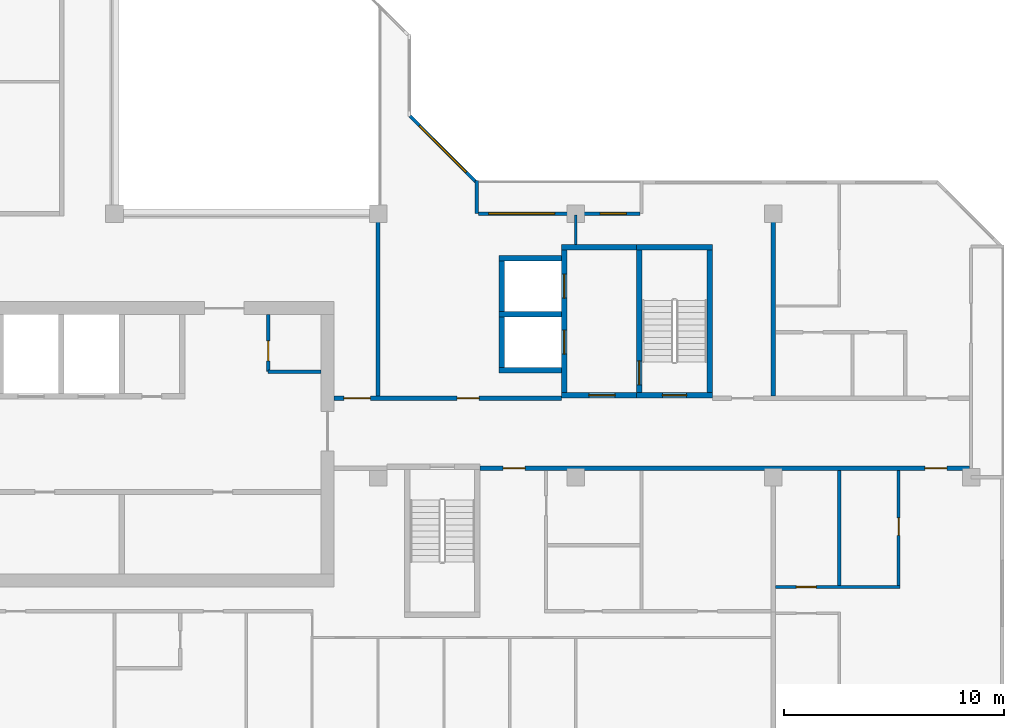
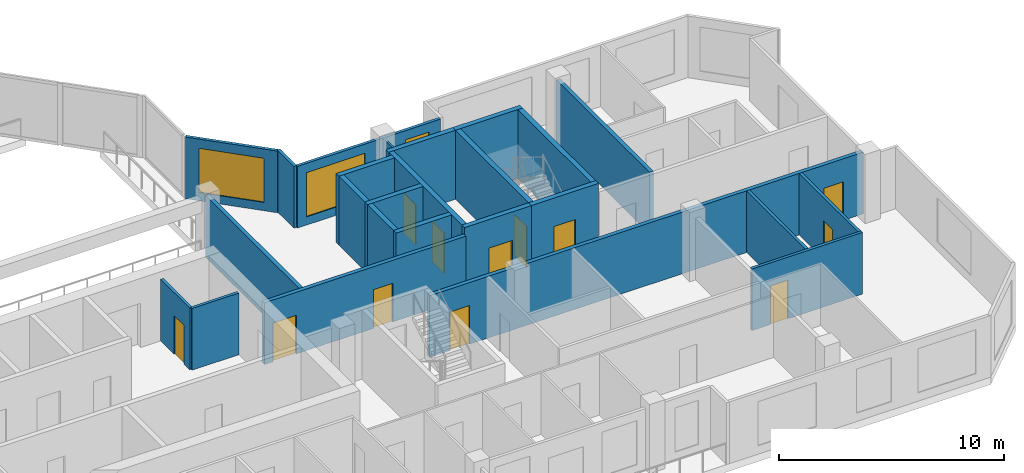
# One storey, part 7 of 13: 25 walls, 12 doors, 3 windows, 15 openings.
"""IFC4 building model written with IfcOpenShell, lengths in metres."""

from ifc_helpers import new_model, si_unit, direction, frame, frame_2d, origin, place, context, subcontext, project, spatial, rectangle, extrude, material, layer, layer_set, type_object, element, fill, save


model = new_model("IFC4")

# Units and contexts
model_context = context("Model", 3, precision=1e-05, world=origin(), true_north=direction((0.0, 1.0)))
body_context = subcontext(model_context, "Body", "Model", "MODEL_VIEW")
ifc_project = project(units=[si_unit("LENGTHUNIT", "METRE"), si_unit("AREAUNIT", "SQUARE_METRE"), si_unit("VOLUMEUNIT", "CUBIC_METRE"), si_unit("PLANEANGLEUNIT", "RADIAN"), si_unit("MASSUNIT", "GRAM", prefix="KILO")], contexts=[model_context])

# Site, building, storey
site_placement = place(None, origin())
site = spatial("IfcSite", under=ifc_project, at=site_placement, CompositionType="ELEMENT")
building_placement = place(site_placement, origin())
building = spatial("IfcBuilding", under=site, at=building_placement, Name="Chenar Terraces", CompositionType="ELEMENT")
storey_placement = place(building_placement, frame((0.0, 0.0, 299.64990234375)))
storey = spatial("IfcBuildingStorey", under=building, at=storey_placement, Name="L70", CompositionType="ELEMENT", Elevation=299.64990234375)

# Wall, opening, door
ifc_material_1 = material(Name="Gypsum board on steel studs", Category="steel")
ifc_layer_1 = layer(ifc_material_1, 0.14990234375)
ifc_layer_set_1 = layer_set([ifc_layer_1], Name="Gypsum board on steel studs")
wall_type_1 = type_object("IfcWallType", Name="Core partition 150 gypsum board", PredefinedType="PARTITIONING", material=ifc_layer_set_1)
wall_1_placement = place(storey_placement, frame((31.0, 16.800048828125, 0.0), z_axis=(0.0, 0.0, 1.0), x_axis=(0.0, 1.0, 0.0)))
wall_1 = element("IfcWall", 1, at=wall_1_placement, inside=storey, type_object=wall_type_1, Name="Core partition CP1 vestibule room west wall", PredefinedType="PARTITIONING", context=body_context, shape_type="SweptSolid", body=[
    extrude(rectangle(XDim=2.599853515625, YDim=0.14990234375, at=frame_2d((1.2998046875, 0.0))), origin(), (0.0, 0.0, 1.0), 3.35009765625),
])
opening_1_placement = place(wall_1_placement, frame((0.5, 0.0, 0.0)))
opening_1 = element("IfcOpeningElement", 2, at=opening_1_placement, cuts=wall_1, Name="Opening DL70-C16", PredefinedType="OPENING", context=body_context, shape_type="SweptSolid", body=[
    extrude(rectangle(XDim=0.89990234375, YDim=2.10009765625, at=frame_2d((0.449951171875, 1.050048828125))), frame((0.0, 0.0849609375, 0.0), z_axis=(0.0, -1.0, 0.0), x_axis=(1.0, 0.0, 0.0)), (0.0, 0.0, 1.0), 0.169921875),
])
ifc_material_2 = material(Name="Steel-framed fire-resisting door leaf", Category="steel")
door_type_1 = type_object("IfcDoorType", Name="Riser fire door FD60 900 x 2100", OperationType="SINGLE_SWING_LEFT", PredefinedType="DOOR", material=ifc_material_2)
door_1_placement = place(opening_1_placement, frame((0.89990234375, 0.0, 0.0), z_axis=(0.0, 0.0, 1.0), x_axis=(-1.0, 0.0, 0.0)))
door_1 = element("IfcDoor", 3, at=door_1_placement, inside=storey, type_object=door_type_1, Name="Core room door DL70-C16", OperationType="SINGLE_SWING_RIGHT", OverallHeight=2.10009765625, OverallWidth=0.89990234375, PredefinedType="DOOR", context=body_context, shape_type="SweptSolid", body=[
    extrude(rectangle(XDim=0.89990234375, YDim=2.10009765625, at=frame_2d((0.449951171875, 1.050048828125))), frame((0.0, 0.02490234375, 0.0), z_axis=(0.0, -1.0, 0.0), x_axis=(1.0, 0.0, 0.0)), (0.0, 0.0, 1.0), 0.050048828125),
])
fill(opening_1, door_1)

# Wall
wall_2_placement = place(storey_placement, frame((31.0, 16.800048828125, 0.0), z_axis=(0.0, 0.0, 1.0), x_axis=(1.0, 0.0, 0.0)))
element("IfcWall", 4, at=wall_2_placement, inside=storey, type_object=wall_type_1, Name="Core partition CP1 vestibule room south wall", PredefinedType="PARTITIONING", context=body_context, shape_type="SweptSolid", body=[
    extrude(rectangle(XDim=2.39990234375, YDim=0.14990234375, at=frame_2d((1.199951171875, 0.0))), origin(), (0.0, 0.0, 1.0), 3.35009765625),
])

# Wall, opening, door
ifc_material_3 = material(Name="Concrete C50/60", Category="concrete")
ifc_layer_2 = layer(ifc_material_3, 0.25)
ifc_layer_set_2 = layer_set([ifc_layer_2], Name="Concrete C50/60")
wall_type_2 = type_object("IfcWallType", Name="Core wall 250 Concrete C50/60", PredefinedType="SHEAR", material=ifc_layer_set_2)
wall_3_placement = place(storey_placement, frame((47.77490234375, 15.72509765625, 0.0), z_axis=(0.0, 0.0, 1.0), x_axis=(1.0, 0.0, 0.0)))
wall_3 = element("IfcWall", 5, at=wall_3_placement, inside=storey, type_object=wall_type_2, Name="Core wall ST3_S L70", PredefinedType="SHEAR", context=body_context, shape_type="SweptSolid", body=[
    extrude(rectangle(XDim=3.4501953125, YDim=0.25, at=frame_2d((1.72509765625, 0.0))), origin(), (0.0, 0.0, 1.0), 3.75),
])
opening_2_placement = place(wall_3_placement, frame((1.175048828125, 0.0, 0.0)))
opening_2 = element("IfcOpeningElement", 6, at=opening_2_placement, cuts=wall_3, Name="Opening DL70-C8", PredefinedType="OPENING", context=body_context, shape_type="SweptSolid", body=[
    extrude(rectangle(XDim=1.10009765625, YDim=2.199951171875, at=frame_2d((0.550048828125, 1.10009765625))), frame((0.0, 0.135009765625, 0.0), z_axis=(0.0, -1.0, 0.0), x_axis=(1.0, 0.0, 0.0)), (0.0, 0.0, 1.0), 0.27001953125),
])
ifc_material_4 = material(Name="Steel-framed fire-resisting door leaf", Category="steel")
door_type_2 = type_object("IfcDoorType", Name="Stair fire door FD60 1100 x 2200", OperationType="SINGLE_SWING_LEFT", PredefinedType="DOOR", material=ifc_material_4)
door_2_placement = place(opening_2_placement, frame((1.10009765625, 0.0, 0.0), z_axis=(0.0, 0.0, 1.0), x_axis=(-1.0, 0.0, 0.0)))
door_2 = element("IfcDoor", 7, at=door_2_placement, inside=storey, type_object=door_type_2, Name="Stair door DL70-C8", OperationType="SINGLE_SWING_LEFT", OverallHeight=2.199951171875, OverallWidth=1.10009765625, PredefinedType="DOOR", context=body_context, shape_type="SweptSolid", body=[
    extrude(rectangle(XDim=1.10009765625, YDim=2.199951171875, at=frame_2d((0.550048828125, 1.10009765625))), frame((0.0, 0.02490234375, 0.0), z_axis=(0.0, -1.0, 0.0), x_axis=(1.0, 0.0, 0.0)), (0.0, 0.0, 1.0), 0.050048828125),
])
fill(opening_2, door_2)

# Wall
wall_4_placement = place(storey_placement, frame((47.77490234375, 22.47509765625, 0.0), z_axis=(0.0, 0.0, 1.0), x_axis=(1.0, 0.0, 0.0)))
element("IfcWall", 8, at=wall_4_placement, inside=storey, type_object=wall_type_2, Name="Core wall ST3_N L70", PredefinedType="SHEAR", context=body_context, shape_type="SweptSolid", body=[
    extrude(rectangle(XDim=3.4501953125, YDim=0.25, at=frame_2d((1.72509765625, 0.0))), origin(), (0.0, 0.0, 1.0), 3.75),
])

# Wall, opening, door
wall_5_placement = place(storey_placement, frame((47.89990234375, 15.85009765625, 0.0), z_axis=(0.0, 0.0, 1.0), x_axis=(0.0, 1.0, 0.0)))
wall_5 = element("IfcWall", 9, at=wall_5_placement, inside=storey, type_object=wall_type_2, Name="Core wall ST3_W L70", PredefinedType="SHEAR", context=body_context, shape_type="SweptSolid", body=[
    extrude(rectangle(XDim=6.5, YDim=0.25, at=frame_2d((3.25, 0.0))), origin(), (0.0, 0.0, 1.0), 3.75),
])
opening_3_placement = place(wall_5_placement, frame((0.35009765625, 0.0, 0.0)))
opening_3 = element("IfcOpeningElement", 10, at=opening_3_placement, cuts=wall_5, Name="Opening DL70-C11", PredefinedType="OPENING", context=body_context, shape_type="SweptSolid", body=[
    extrude(rectangle(XDim=1.10009765625, YDim=2.199951171875, at=frame_2d((0.550048828125, 1.10009765625))), frame((0.0, 0.135009765625, 0.0), z_axis=(0.0, -1.0, 0.0), x_axis=(1.0, 0.0, 0.0)), (0.0, 0.0, 1.0), 0.27001953125),
])
door_3_placement = place(opening_3_placement, frame((1.10009765625, 0.0, 0.0), z_axis=(0.0, 0.0, 1.0), x_axis=(-1.0, 0.0, 0.0)))
door_3 = element("IfcDoor", 11, at=door_3_placement, inside=storey, type_object=door_type_2, Name="Stair door DL70-C11", OperationType="SINGLE_SWING_RIGHT", OverallHeight=2.199951171875, OverallWidth=1.10009765625, PredefinedType="DOOR", context=body_context, shape_type="SweptSolid", body=[
    extrude(rectangle(XDim=1.10009765625, YDim=2.199951171875, at=frame_2d((0.550048828125, 1.10009765625))), frame((0.0, 0.02490234375, 0.0), z_axis=(0.0, -1.0, 0.0), x_axis=(1.0, 0.0, 0.0)), (0.0, 0.0, 1.0), 0.050048828125),
])
fill(opening_3, door_3)

# Wall
wall_6_placement = place(storey_placement, frame((51.10009765625, 15.85009765625, 0.0), z_axis=(0.0, 0.0, 1.0), x_axis=(0.0, 1.0, 0.0)))
element("IfcWall", 12, at=wall_6_placement, inside=storey, type_object=wall_type_2, Name="Core wall ST3_E L70", PredefinedType="SHEAR", context=body_context, shape_type="SweptSolid", body=[
    extrude(rectangle(XDim=6.5, YDim=0.25, at=frame_2d((3.25, 0.0))), origin(), (0.0, 0.0, 1.0), 3.75),
])

# Wall, opening, door
wall_7_placement = place(storey_placement, frame((44.35009765625, 15.72509765625, 0.0), z_axis=(0.0, 0.0, 1.0), x_axis=(1.0, 0.0, 0.0)))
wall_7 = element("IfcWall", 13, at=wall_7_placement, inside=storey, type_object=wall_type_2, Name="Core wall F3_LS L70", PredefinedType="SHEAR", context=body_context, shape_type="SweptSolid", body=[
    extrude(rectangle(XDim=3.4248046875, YDim=0.25, at=frame_2d((1.71240234375, 0.0))), origin(), (0.0, 0.0, 1.0), 3.75),
])
opening_4_placement = place(wall_7_placement, frame((1.25, 0.0, 0.0)))
opening_4 = element("IfcOpeningElement", 14, at=opening_4_placement, cuts=wall_7, Name="Opening DL70-C10", PredefinedType="OPENING", context=body_context, shape_type="SweptSolid", body=[
    extrude(rectangle(XDim=1.199951171875, YDim=2.199951171875, at=frame_2d((0.60009765625, 1.10009765625))), frame((0.0, 0.135009765625, 0.0), z_axis=(0.0, -1.0, 0.0), x_axis=(1.0, 0.0, 0.0)), (0.0, 0.0, 1.0), 0.27001953125),
])
ifc_material_5 = material(Name="Steel-framed fire-resisting door leaf", Category="steel")
door_type_3 = type_object("IfcDoorType", Name="Lobby fire door FD60 1200 x 2200", OperationType="SINGLE_SWING_LEFT", PredefinedType="DOOR", material=ifc_material_5)
door_4_placement = place(opening_4_placement, origin())
door_4 = element("IfcDoor", 15, at=door_4_placement, inside=storey, type_object=door_type_3, Name="Core door DL70-C10", OperationType="SINGLE_SWING_RIGHT", OverallHeight=2.199951171875, OverallWidth=1.199951171875, PredefinedType="DOOR", context=body_context, shape_type="SweptSolid", body=[
    extrude(rectangle(XDim=1.199951171875, YDim=2.199951171875, at=frame_2d((0.60009765625, 1.10009765625))), frame((0.0, 0.02490234375, 0.0), z_axis=(0.0, -1.0, 0.0), x_axis=(1.0, 0.0, 0.0)), (0.0, 0.0, 1.0), 0.050048828125),
])
fill(opening_4, door_4)

# Wall
wall_8_placement = place(storey_placement, frame((44.35009765625, 22.47509765625, 0.0), z_axis=(0.0, 0.0, 1.0), x_axis=(1.0, 0.0, 0.0)))
element("IfcWall", 16, at=wall_8_placement, inside=storey, type_object=wall_type_2, Name="Core wall F3_LN L70", PredefinedType="SHEAR", context=body_context, shape_type="SweptSolid", body=[
    extrude(rectangle(XDim=3.4248046875, YDim=0.25, at=frame_2d((1.71240234375, 0.0))), origin(), (0.0, 0.0, 1.0), 3.75),
])

# Wall, openings, doors
wall_9_placement = place(storey_placement, frame((44.47509765625, 15.85009765625, 0.0), z_axis=(0.0, 0.0, 1.0), x_axis=(0.0, 1.0, 0.0)))
wall_9 = element("IfcWall", 17, at=wall_9_placement, inside=storey, type_object=wall_type_2, Name="Core wall F3_LW L70", PredefinedType="SHEAR", context=body_context, shape_type="SweptSolid", body=[
    extrude(rectangle(XDim=6.5, YDim=0.25, at=frame_2d((3.25, 0.0))), origin(), (0.0, 0.0, 1.0), 3.75),
])
opening_5_placement = place(wall_9_placement, frame((1.75, 0.0, 0.0)))
opening_5 = element("IfcOpeningElement", 18, at=opening_5_placement, cuts=wall_9, Name="Opening DL70-LD8", PredefinedType="OPENING", context=body_context, shape_type="SweptSolid", body=[
    extrude(rectangle(XDim=1.10009765625, YDim=2.199951171875, at=frame_2d((0.550048828125, 1.10009765625))), frame((0.0, 0.135009765625, 0.0), z_axis=(0.0, -1.0, 0.0), x_axis=(1.0, 0.0, 0.0)), (0.0, 0.0, 1.0), 0.27001953125),
])
opening_6_placement = place(wall_9_placement, frame((4.300048828125, 0.0, 0.0)))
opening_6 = element("IfcOpeningElement", 19, at=opening_6_placement, cuts=wall_9, Name="Opening DL70-LD9", PredefinedType="OPENING", context=body_context, shape_type="SweptSolid", body=[
    extrude(rectangle(XDim=1.10009765625, YDim=2.199951171875, at=frame_2d((0.550048828125, 1.10009765625))), frame((0.0, 0.135009765625, 0.0), z_axis=(0.0, -1.0, 0.0), x_axis=(1.0, 0.0, 0.0)), (0.0, 0.0, 1.0), 0.27001953125),
])
ifc_material_6 = material(Name="Stainless steel", Category="steel")
door_type_4 = type_object("IfcDoorType", Name="Lift landing door 1100 x 2200 sliding", OperationType="DOUBLE_DOOR_SLIDING", PredefinedType="DOOR", material=ifc_material_6)
door_5_placement = place(opening_5_placement, origin())
door_5 = element("IfcDoor", 20, at=door_5_placement, inside=storey, type_object=door_type_4, Name="Landing door F3", OperationType="DOUBLE_DOOR_SLIDING", OverallHeight=2.199951171875, OverallWidth=1.10009765625, PredefinedType="DOOR", context=body_context, shape_type="SweptSolid", body=[
    extrude(rectangle(XDim=1.10009765625, YDim=2.199951171875, at=frame_2d((0.550048828125, 1.10009765625))), frame((0.0, 0.02490234375, 0.0), z_axis=(0.0, -1.0, 0.0), x_axis=(1.0, 0.0, 0.0)), (0.0, 0.0, 1.0), 0.050048828125),
])
fill(opening_5, door_5)
door_6_placement = place(opening_6_placement, origin())
door_6 = element("IfcDoor", 21, at=door_6_placement, inside=storey, type_object=door_type_4, Name="Landing door F4", OperationType="DOUBLE_DOOR_SLIDING", OverallHeight=2.199951171875, OverallWidth=1.10009765625, PredefinedType="DOOR", context=body_context, shape_type="SweptSolid", body=[
    extrude(rectangle(XDim=1.10009765625, YDim=2.199951171875, at=frame_2d((0.550048828125, 1.10009765625))), frame((0.0, 0.02490234375, 0.0), z_axis=(0.0, -1.0, 0.0), x_axis=(1.0, 0.0, 0.0)), (0.0, 0.0, 1.0), 0.050048828125),
])
fill(opening_6, door_6)

# Walls
for number, where, z_axis, x_axis, name in (
    (22, (41.5, 16.875, 0.0), (0.0, 0.0, 1.0), (1.0, 0.0, 0.0), "Core wall F3_SS L70"),
    (23, (41.5, 19.425048828125, 0.0), (0.0, 0.0, 1.0), (1.0, 0.0, 0.0), "Core wall F3_SM L70"),
    (24, (41.5, 21.97509765625, 0.0), (0.0, 0.0, 1.0), (1.0, 0.0, 0.0), "Core wall F4_SN L70"),
):
    element("IfcWall", number, at=place(storey_placement, frame(where, z_axis=z_axis, x_axis=x_axis)), inside=storey, type_object=wall_type_2, Name=name, PredefinedType="SHEAR", context=body_context, shape_type="SweptSolid", body=[
        extrude(rectangle(XDim=2.85009765625, YDim=0.25, at=frame_2d((1.425048828125, 0.0))), origin(), (0.0, 0.0, 1.0), 3.75),
    ])
for number, where, z_axis, x_axis, name in (
    (25, (41.625, 17.0, 0.0), (0.0, 0.0, 1.0), (0.0, 1.0, 0.0), "Core wall F3_SW L70"),
    (26, (41.625, 19.550048828125, 0.0), (0.0, 0.0, 1.0), (0.0, 1.0, 0.0), "Core wall F4_SW L70"),
):
    element("IfcWall", number, at=place(storey_placement, frame(where, z_axis=z_axis, x_axis=x_axis)), inside=storey, type_object=wall_type_2, Name=name, PredefinedType="SHEAR", context=body_context, shape_type="SweptSolid", body=[
        extrude(rectangle(XDim=2.300048828125, YDim=0.25, at=frame_2d((1.14990234375, 0.0))), origin(), (0.0, 0.0, 1.0), 3.75),
    ])

# Wall, openings, doors
ifc_material_7 = material(Name="Gypsum board on steel studs with fire boards", Category="steel")
ifc_layer_3 = layer(ifc_material_7, 0.199951171875)
ifc_layer_set_3 = layer_set([ifc_layer_3], Name="Gypsum board on steel studs with fire boards")
wall_type_3 = type_object("IfcWallType", Name="Corridor wall 200", PredefinedType="PARTITIONING", material=ifc_layer_set_3)
wall_10_placement = place(storey_placement, frame((34.0, 15.60009765625, 0.0), z_axis=(0.0, 0.0, 1.0), x_axis=(1.0, 0.0, 0.0)))
wall_10 = element("IfcWall", 27, at=wall_10_placement, inside=storey, type_object=wall_type_3, Name="Partition L70-052", PredefinedType="PARTITIONING", context=body_context, shape_type="SweptSolid", body=[
    extrude(rectangle(XDim=10.35009765625, YDim=0.199951171875, at=frame_2d((5.175048828125, 0.0))), origin(), (0.0, 0.0, 1.0), 3.35009765625),
])
opening_7_placement = place(wall_10_placement, frame((5.60009765625, 0.0, 0.0)))
opening_7 = element("IfcOpeningElement", 28, at=opening_7_placement, cuts=wall_10, Name="Opening DL70-3", PredefinedType="OPENING", context=body_context, shape_type="SweptSolid", body=[
    extrude(rectangle(XDim=1.0, YDim=2.10009765625, at=frame_2d((0.5, 1.050048828125))), frame((0.0, 0.10986328125, 0.0), z_axis=(0.0, -1.0, 0.0), x_axis=(1.0, 0.0, 0.0)), (0.0, 0.0, 1.0), 0.219970703125),
])
opening_8_placement = place(wall_10_placement, frame((0.449951171875, 0.0, 0.0)))
opening_8 = element("IfcOpeningElement", 29, at=opening_8_placement, cuts=wall_10, Name="Opening DL70-27", PredefinedType="OPENING", context=body_context, shape_type="SweptSolid", body=[
    extrude(rectangle(XDim=1.199951171875, YDim=2.10009765625, at=frame_2d((0.60009765625, 1.050048828125))), frame((0.0, 0.10986328125, 0.0), z_axis=(0.0, -1.0, 0.0), x_axis=(1.0, 0.0, 0.0)), (0.0, 0.0, 1.0), 0.219970703125),
])
ifc_material_8 = material(Name="Steel-framed fire-resisting door leaf", Category="steel")
door_type_5 = type_object("IfcDoorType", Name="Fire door FD60 1000 x 2100", OperationType="SINGLE_SWING_LEFT", PredefinedType="DOOR", material=ifc_material_8)
door_7_placement = place(opening_7_placement, origin())
door_7 = element("IfcDoor", 30, at=door_7_placement, inside=storey, type_object=door_type_5, Name="Door DL70-3", OperationType="SINGLE_SWING_RIGHT", OverallHeight=2.10009765625, OverallWidth=1.0, PredefinedType="DOOR", context=body_context, shape_type="SweptSolid", body=[
    extrude(rectangle(XDim=1.0, YDim=2.10009765625, at=frame_2d((0.5, 1.050048828125))), frame((0.0, 0.02490234375, 0.0), z_axis=(0.0, -1.0, 0.0), x_axis=(1.0, 0.0, 0.0)), (0.0, 0.0, 1.0), 0.050048828125),
])
fill(opening_7, door_7)
ifc_material_9 = material(Name="Steel-framed fire-resisting door leaf", Category="steel")
door_type_6 = type_object("IfcDoorType", Name="Fire door FD60 1200 x 2100", OperationType="SINGLE_SWING_LEFT", PredefinedType="DOOR", material=ifc_material_9)
door_8_placement = place(opening_8_placement, origin())
door_8 = element("IfcDoor", 31, at=door_8_placement, inside=storey, type_object=door_type_6, Name="Door DL70-27", OperationType="SINGLE_SWING_RIGHT", OverallHeight=2.10009765625, OverallWidth=1.199951171875, PredefinedType="DOOR", context=body_context, shape_type="SweptSolid", body=[
    extrude(rectangle(XDim=1.199951171875, YDim=2.10009765625, at=frame_2d((0.60009765625, 1.050048828125))), frame((0.0, 0.02490234375, 0.0), z_axis=(0.0, -1.0, 0.0), x_axis=(1.0, 0.0, 0.0)), (0.0, 0.0, 1.0), 0.050048828125),
])
fill(opening_8, door_8)

# Wall
wall_11_placement = place(storey_placement, frame((36.0, 15.699951171875, 0.0), z_axis=(0.0, 0.0, 1.0), x_axis=(0.0, 1.0, 0.0)))
element("IfcWall", 32, at=wall_11_placement, inside=storey, type_object=wall_type_3, Name="Partition L70-054", PredefinedType="PARTITIONING", context=body_context, shape_type="SweptSolid", body=[
    extrude(rectangle(XDim=8.300048828125, YDim=0.199951171875, at=frame_2d((4.14990234375, 0.0))), origin(), (0.0, 0.0, 1.0), 3.35009765625),
])

# Wall, openings, doors
wall_12_placement = place(storey_placement, frame((40.64990234375, 12.39990234375, 0.0), z_axis=(0.0, 0.0, 1.0), x_axis=(1.0, 0.0, 0.0)))
wall_12 = element("IfcWall", 33, at=wall_12_placement, inside=storey, type_object=wall_type_3, Name="Partition L70-056", PredefinedType="PARTITIONING", context=body_context, shape_type="SweptSolid", body=[
    extrude(rectangle(XDim=22.276123046875, YDim=0.199951171875, at=frame_2d((11.13818359375, 0.0))), origin(), (0.0, 0.0, 1.0), 3.35009765625),
])
opening_9_placement = place(wall_12_placement, frame((20.25, 0.0, 0.0)))
opening_9 = element("IfcOpeningElement", 34, at=opening_9_placement, cuts=wall_12, Name="Opening DL70-11", PredefinedType="OPENING", context=body_context, shape_type="SweptSolid", body=[
    extrude(rectangle(XDim=1.0, YDim=2.10009765625, at=frame_2d((0.5, 1.050048828125))), frame((0.0, 0.10986328125, 0.0), z_axis=(0.0, -1.0, 0.0), x_axis=(1.0, 0.0, 0.0)), (0.0, 0.0, 1.0), 0.219970703125),
])
opening_10_placement = place(wall_12_placement, frame((1.050048828125, 0.0, 0.0)))
opening_10 = element("IfcOpeningElement", 35, at=opening_10_placement, cuts=wall_12, Name="Opening DL70-43", PredefinedType="OPENING", context=body_context, shape_type="SweptSolid", body=[
    extrude(rectangle(XDim=1.0, YDim=2.10009765625, at=frame_2d((0.5, 1.050048828125))), frame((0.0, 0.10986328125, 0.0), z_axis=(0.0, -1.0, 0.0), x_axis=(1.0, 0.0, 0.0)), (0.0, 0.0, 1.0), 0.219970703125),
])
ifc_material_10 = material(Name="Steel-framed fire-resisting door leaf", Category="steel")
door_type_7 = type_object("IfcDoorType", Name="Fire door FD30S 1000 x 2100", OperationType="SINGLE_SWING_LEFT", PredefinedType="DOOR", material=ifc_material_10)
door_9_placement = place(opening_9_placement, frame((1.0, 0.0, 0.0), z_axis=(0.0, 0.0, 1.0), x_axis=(-1.0, 0.0, 0.0)))
door_9 = element("IfcDoor", 36, at=door_9_placement, inside=storey, type_object=door_type_7, Name="Door DL70-11", OperationType="SINGLE_SWING_LEFT", OverallHeight=2.10009765625, OverallWidth=1.0, PredefinedType="DOOR", context=body_context, shape_type="SweptSolid", body=[
    extrude(rectangle(XDim=1.0, YDim=2.10009765625, at=frame_2d((0.5, 1.050048828125))), frame((0.0, 0.02490234375, 0.0), z_axis=(0.0, -1.0, 0.0), x_axis=(1.0, 0.0, 0.0)), (0.0, 0.0, 1.0), 0.050048828125),
])
fill(opening_9, door_9)
door_10_placement = place(opening_10_placement, origin())
door_10 = element("IfcDoor", 37, at=door_10_placement, inside=storey, type_object=door_type_7, Name="Door DL70-43", OperationType="SINGLE_SWING_LEFT", OverallHeight=2.10009765625, OverallWidth=1.0, PredefinedType="DOOR", context=body_context, shape_type="SweptSolid", body=[
    extrude(rectangle(XDim=1.0, YDim=2.10009765625, at=frame_2d((0.5, 1.050048828125))), frame((0.0, 0.02490234375, 0.0), z_axis=(0.0, -1.0, 0.0), x_axis=(1.0, 0.0, 0.0)), (0.0, 0.0, 1.0), 0.050048828125),
])
fill(opening_10, door_10)

# Wall, openings, windows
ifc_material_11 = material(Name="Aluminium framed glazing", Category="aluminium")
ifc_layer_4 = layer(ifc_material_11, 0.14990234375)
ifc_layer_set_4 = layer_set([ifc_layer_4], Name="Aluminium framed glazing")
wall_type_4 = type_object("IfcWallType", Name="Glazed loggia back wall 150", PredefinedType="SOLIDWALL", material=ifc_layer_set_4)
wall_13_placement = place(storey_placement, frame((47.925048828125, 24.0, 0.0), z_axis=(0.0, 0.0, 1.0), x_axis=(-1.0, 0.0, 0.0)))
wall_13 = element("IfcWall", 38, at=wall_13_placement, inside=storey, type_object=wall_type_4, Name="Glazed loggia back wall", PredefinedType="SOLIDWALL", context=body_context, shape_type="SweptSolid", body=[
    extrude(rectangle(XDim=7.35009765625, YDim=0.14990234375, at=frame_2d((3.675048828125, 0.0))), origin(), (0.0, 0.0, 1.0), 3.35009765625),
])
opening_11_placement = place(wall_13_placement, frame((0.612548828125, 0.0, 0.449951171875)))
opening_11 = element("IfcOpeningElement", 39, at=opening_11_placement, cuts=wall_13, Name="Opening W120x240", PredefinedType="OPENING", context=body_context, shape_type="SweptSolid", body=[
    extrude(rectangle(XDim=1.199951171875, YDim=2.39990234375, at=frame_2d((0.60009765625, 1.199951171875))), frame((0.0, 0.0849609375, 0.0), z_axis=(0.0, -1.0, 0.0), x_axis=(1.0, 0.0, 0.0)), (0.0, 0.0, 1.0), 0.169921875),
])
opening_12_placement = place(wall_13_placement, frame((3.887451171875, 0.0, 0.449951171875)))
opening_12 = element("IfcOpeningElement", 40, at=opening_12_placement, cuts=wall_13, Name="Opening W300x240", PredefinedType="OPENING", context=body_context, shape_type="SweptSolid", body=[
    extrude(rectangle(XDim=3.0, YDim=2.39990234375, at=frame_2d((1.5, 1.199951171875))), frame((0.0, 0.0849609375, 0.0), z_axis=(0.0, -1.0, 0.0), x_axis=(1.0, 0.0, 0.0)), (0.0, 0.0, 1.0), 0.169921875),
])
ifc_material_12 = material(Name="Low emissivity double glazing, aluminium frame", Category="aluminium")
window_type_1 = type_object("IfcWindowType", Name="Fixed light 1200 x 2400", PartitioningType="SINGLE_PANEL", PredefinedType="WINDOW", material=ifc_material_12)
window_1_placement = place(opening_11_placement, origin())
window_1 = element("IfcWindow", 41, at=window_1_placement, inside=storey, type_object=window_type_1, Name="Window", OverallHeight=2.39990234375, OverallWidth=1.199951171875, PartitioningType="SINGLE_PANEL", PredefinedType="WINDOW", context=body_context, shape_type="SweptSolid", body=[
    extrude(rectangle(XDim=1.199951171875, YDim=2.39990234375, at=frame_2d((0.60009765625, 1.199951171875))), frame((0.0, 0.030029296875, 0.0), z_axis=(0.0, -1.0, 0.0), x_axis=(1.0, 0.0, 0.0)), (0.0, 0.0, 1.0), 0.06005859375),
])
fill(opening_11, window_1)
ifc_material_13 = material(Name="Low emissivity double glazing, aluminium frame", Category="aluminium")
window_type_2 = type_object("IfcWindowType", Name="Fixed light 3000 x 2400", PartitioningType="SINGLE_PANEL", PredefinedType="WINDOW", material=ifc_material_13)
window_2_placement = place(opening_12_placement, origin())
window_2 = element("IfcWindow", 42, at=window_2_placement, inside=storey, type_object=window_type_2, Name="Window", OverallHeight=2.39990234375, OverallWidth=3.0, PartitioningType="SINGLE_PANEL", PredefinedType="WINDOW", context=body_context, shape_type="SweptSolid", body=[
    extrude(rectangle(XDim=3.0, YDim=2.39990234375, at=frame_2d((1.5, 1.199951171875))), frame((0.0, 0.030029296875, 0.0), z_axis=(0.0, -1.0, 0.0), x_axis=(1.0, 0.0, 0.0)), (0.0, 0.0, 1.0), 0.06005859375),
])
fill(opening_12, window_2)

# Walls
ifc_material_14 = material(Name="Gypsum board on steel studs", Category="steel")
ifc_layer_5 = layer(ifc_material_14, 0.10009765625)
ifc_layer_set_5 = layer_set([ifc_layer_5], Name="Gypsum board on steel studs")
wall_type_5 = type_object("IfcWallType", Name="Gypsum partition 100", PredefinedType="PARTITIONING", material=ifc_layer_set_5)
wall_14_placement = place(storey_placement, frame((45.0, 22.60009765625, 0.0), z_axis=(0.0, 0.0, 1.0), x_axis=(0.0, 1.0, 0.0)))
element("IfcWall", 43, at=wall_14_placement, inside=storey, type_object=wall_type_5, Name="Partition L70-062", PredefinedType="PARTITIONING", context=body_context, shape_type="SweptSolid", body=[
    extrude(rectangle(XDim=1.325927734375, YDim=0.10009765625, at=frame_2d((0.6630859375, 0.0))), origin(), (0.0, 0.0, 1.0), 3.35009765625),
])
ifc_material_15 = material(Name="Terracotta cladding on insulated backing", Category="masonry")
ifc_layer_6 = layer(ifc_material_15, 0.14990234375)
ifc_layer_set_6 = layer_set([ifc_layer_6], Name="Terracotta cladding on insulated backing")
wall_type_6 = type_object("IfcWallType", Name="Loggia return wall 150", PredefinedType="SOLIDWALL", material=ifc_layer_set_6)
wall_15_placement = place(storey_placement, frame((40.5, 25.5, 0.0), z_axis=(0.0, 0.0, 1.0), x_axis=(0.0, -1.0, 0.0)))
element("IfcWall", 44, at=wall_15_placement, inside=storey, type_object=wall_type_6, Name="Loggia return wall", PredefinedType="SOLIDWALL", context=body_context, shape_type="SweptSolid", body=[
    extrude(rectangle(XDim=1.5, YDim=0.14990234375, at=frame_2d((0.75, 0.0))), origin(), (0.0, 0.0, 1.0), 3.35009765625),
])

# Wall, opening, window
ifc_material_16 = material(Name="Terracotta cladding on insulated backing", Category="masonry")
ifc_layer_7 = layer(ifc_material_16, 0.14990234375)
ifc_layer_set_7 = layer_set([ifc_layer_7], Name="Terracotta cladding on insulated backing")
wall_type_7 = type_object("IfcWallType", Name="Terracotta rainscreen wall 150", PredefinedType="SOLIDWALL", material=ifc_layer_set_7)
wall_16_placement = place(storey_placement, frame((40.447021484375, 25.447021484375, 0.0), z_axis=(0.0, 0.0, 1.0), x_axis=(-0.707106781187, 0.707106781187, 0.0)))
wall_16 = element("IfcWall", 45, at=wall_16_placement, inside=storey, type_object=wall_type_7, Name="Terracotta rainscreen wall", PredefinedType="SOLIDWALL", context=body_context, shape_type="SweptSolid", body=[
    extrude(rectangle(XDim=4.24267578125, YDim=0.14990234375, at=frame_2d((2.121337890625, 0.0))), origin(), (0.0, 0.0, 1.0), 3.35009765625),
])
opening_13_placement = place(wall_16_placement, frame((0.621337890625, 0.0, 0.449951171875)))
opening_13 = element("IfcOpeningElement", 46, at=opening_13_placement, cuts=wall_16, Name="Opening W300x240", PredefinedType="OPENING", context=body_context, shape_type="SweptSolid", body=[
    extrude(rectangle(XDim=3.0, YDim=2.39990234375, at=frame_2d((1.5, 1.199951171875))), frame((0.0, 0.0849609375, 0.0), z_axis=(0.0, -1.0, 0.0), x_axis=(1.0, 0.0, 0.0)), (0.0, 0.0, 1.0), 0.169921875),
])
window_3_placement = place(opening_13_placement, origin())
window_3 = element("IfcWindow", 47, at=window_3_placement, inside=storey, type_object=window_type_2, Name="Window", OverallHeight=2.39990234375, OverallWidth=3.0, PartitioningType="SINGLE_PANEL", PredefinedType="WINDOW", context=body_context, shape_type="SweptSolid", body=[
    extrude(rectangle(XDim=3.0, YDim=2.39990234375, at=frame_2d((1.5, 1.199951171875))), frame((0.0, 0.030029296875, 0.0), z_axis=(0.0, -1.0, 0.0), x_axis=(1.0, 0.0, 0.0)), (0.0, 0.0, 1.0), 0.06005859375),
])
fill(opening_13, window_3)

# Wall
ifc_material_17 = material(Name="Twin gypsum board on steel studs with mineral wool", Category="steel")
ifc_layer_8 = layer(ifc_material_17, 0.199951171875)
ifc_layer_set_8 = layer_set([ifc_layer_8], Name="Twin gypsum board on steel studs with mineral wool")
wall_type_8 = type_object("IfcWallType", Name="Unit demising wall 200", PredefinedType="PARTITIONING", material=ifc_layer_set_8)
wall_17_placement = place(storey_placement, frame((54.0, 15.699951171875, 0.0), z_axis=(0.0, 0.0, 1.0), x_axis=(0.0, 1.0, 0.0)))
element("IfcWall", 48, at=wall_17_placement, inside=storey, type_object=wall_type_8, Name="Partition L70-067", PredefinedType="PARTITIONING", context=body_context, shape_type="SweptSolid", body=[
    extrude(rectangle(XDim=8.300048828125, YDim=0.199951171875, at=frame_2d((4.14990234375, 0.0))), origin(), (0.0, 0.0, 1.0), 3.35009765625),
])

# Wall, opening, door
ifc_material_18 = material(Name="Moisture-resistant gypsum board on steel studs", Category="steel")
ifc_layer_9 = layer(ifc_material_18, 0.14990234375)
ifc_layer_set_9 = layer_set([ifc_layer_9], Name="Moisture-resistant gypsum board on steel studs")
wall_type_9 = type_object("IfcWallType", Name="Wet-room partition 150", PredefinedType="PARTITIONING", material=ifc_layer_set_9)
wall_18_placement = place(storey_placement, frame((54.10009765625, 7.0, 0.0), z_axis=(0.0, 0.0, 1.0), x_axis=(1.0, 0.0, 0.0)))
wall_18 = element("IfcWall", 49, at=wall_18_placement, inside=storey, type_object=wall_type_9, Name="Partition L70-069", PredefinedType="PARTITIONING", context=body_context, shape_type="SweptSolid", body=[
    extrude(rectangle(XDim=5.6748046875, YDim=0.14990234375, at=frame_2d((2.83740234375, 0.0))), origin(), (0.0, 0.0, 1.0), 3.35009765625),
])
opening_14_placement = place(wall_18_placement, frame((0.949951171875, 0.0, 0.0)))
opening_14 = element("IfcOpeningElement", 50, at=opening_14_placement, cuts=wall_18, Name="Opening DL70-10", PredefinedType="OPENING", context=body_context, shape_type="SweptSolid", body=[
    extrude(rectangle(XDim=0.89990234375, YDim=2.10009765625, at=frame_2d((0.449951171875, 1.050048828125))), frame((0.0, 0.0849609375, 0.0), z_axis=(0.0, -1.0, 0.0), x_axis=(1.0, 0.0, 0.0)), (0.0, 0.0, 1.0), 0.169921875),
])
ifc_material_19 = material(Name="Veneered timber door leaf", Category="wood")
door_type_8 = type_object("IfcDoorType", Name="Door 900 x 2100", OperationType="SINGLE_SWING_LEFT", PredefinedType="DOOR", material=ifc_material_19)
door_11_placement = place(opening_14_placement, origin())
door_11 = element("IfcDoor", 51, at=door_11_placement, inside=storey, type_object=door_type_8, Name="Door DL70-10", OperationType="SINGLE_SWING_RIGHT", OverallHeight=2.10009765625, OverallWidth=0.89990234375, PredefinedType="DOOR", context=body_context, shape_type="SweptSolid", body=[
    extrude(rectangle(XDim=0.89990234375, YDim=2.10009765625, at=frame_2d((0.449951171875, 1.050048828125))), frame((0.0, 0.02490234375, 0.0), z_axis=(0.0, -1.0, 0.0), x_axis=(1.0, 0.0, 0.0)), (0.0, 0.0, 1.0), 0.050048828125),
])
fill(opening_14, door_11)

# Wall
wall_19_placement = place(storey_placement, frame((57.0, 7.074951171875, 0.0), z_axis=(0.0, 0.0, 1.0), x_axis=(0.0, 1.0, 0.0)))
element("IfcWall", 52, at=wall_19_placement, inside=storey, type_object=wall_type_9, Name="Partition L70-073", PredefinedType="PARTITIONING", context=body_context, shape_type="SweptSolid", body=[
    extrude(rectangle(XDim=5.22509765625, YDim=0.14990234375, at=frame_2d((2.612548828125, 0.0))), origin(), (0.0, 0.0, 1.0), 3.35009765625),
])

# Wall, opening, door
wall_20_placement = place(storey_placement, frame((59.699951171875, 7.074951171875, 0.0), z_axis=(0.0, 0.0, 1.0), x_axis=(0.0, 1.0, 0.0)))
wall_20 = element("IfcWall", 53, at=wall_20_placement, inside=storey, type_object=wall_type_9, Name="Partition L70-076", PredefinedType="PARTITIONING", context=body_context, shape_type="SweptSolid", body=[
    extrude(rectangle(XDim=5.22509765625, YDim=0.14990234375, at=frame_2d((2.612548828125, 0.0))), origin(), (0.0, 0.0, 1.0), 3.35009765625),
])
opening_15_placement = place(wall_20_placement, frame((2.27490234375, 0.0, 0.0)))
opening_15 = element("IfcOpeningElement", 54, at=opening_15_placement, cuts=wall_20, Name="Opening DL70-8", PredefinedType="OPENING", context=body_context, shape_type="SweptSolid", body=[
    extrude(rectangle(XDim=0.800048828125, YDim=2.10009765625, at=frame_2d((0.39990234375, 1.050048828125))), frame((0.0, 0.0849609375, 0.0), z_axis=(0.0, -1.0, 0.0), x_axis=(1.0, 0.0, 0.0)), (0.0, 0.0, 1.0), 0.169921875),
])
ifc_material_20 = material(Name="Veneered timber door leaf", Category="wood")
door_type_9 = type_object("IfcDoorType", Name="Door 800 x 2100", OperationType="SINGLE_SWING_LEFT", PredefinedType="DOOR", material=ifc_material_20)
door_12_placement = place(opening_15_placement, origin())
door_12 = element("IfcDoor", 55, at=door_12_placement, inside=storey, type_object=door_type_9, Name="Door DL70-8", OperationType="SINGLE_SWING_LEFT", OverallHeight=2.10009765625, OverallWidth=0.800048828125, PredefinedType="DOOR", context=body_context, shape_type="SweptSolid", body=[
    extrude(rectangle(XDim=0.800048828125, YDim=2.10009765625, at=frame_2d((0.39990234375, 1.050048828125))), frame((0.0, 0.02490234375, 0.0), z_axis=(0.0, -1.0, 0.0), x_axis=(1.0, 0.0, 0.0)), (0.0, 0.0, 1.0), 0.050048828125),
])
fill(opening_15, door_12)

save(model, "model.ifc")
